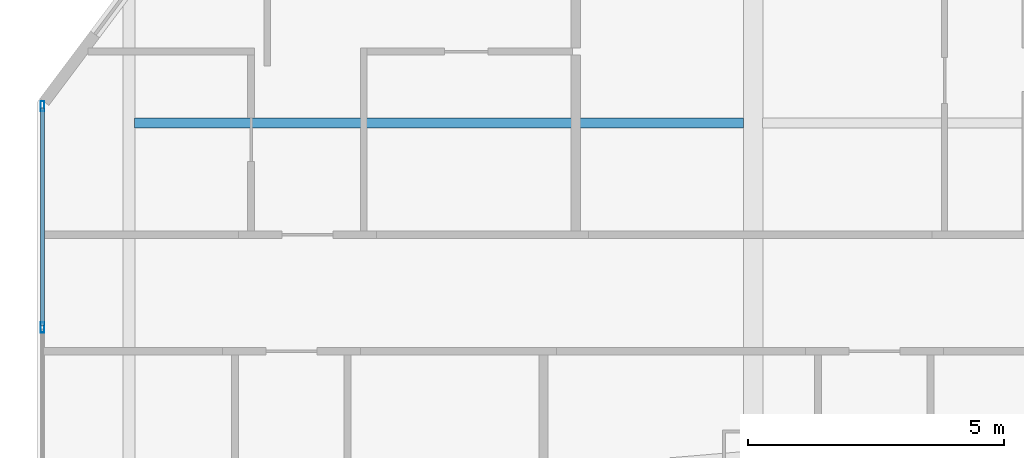
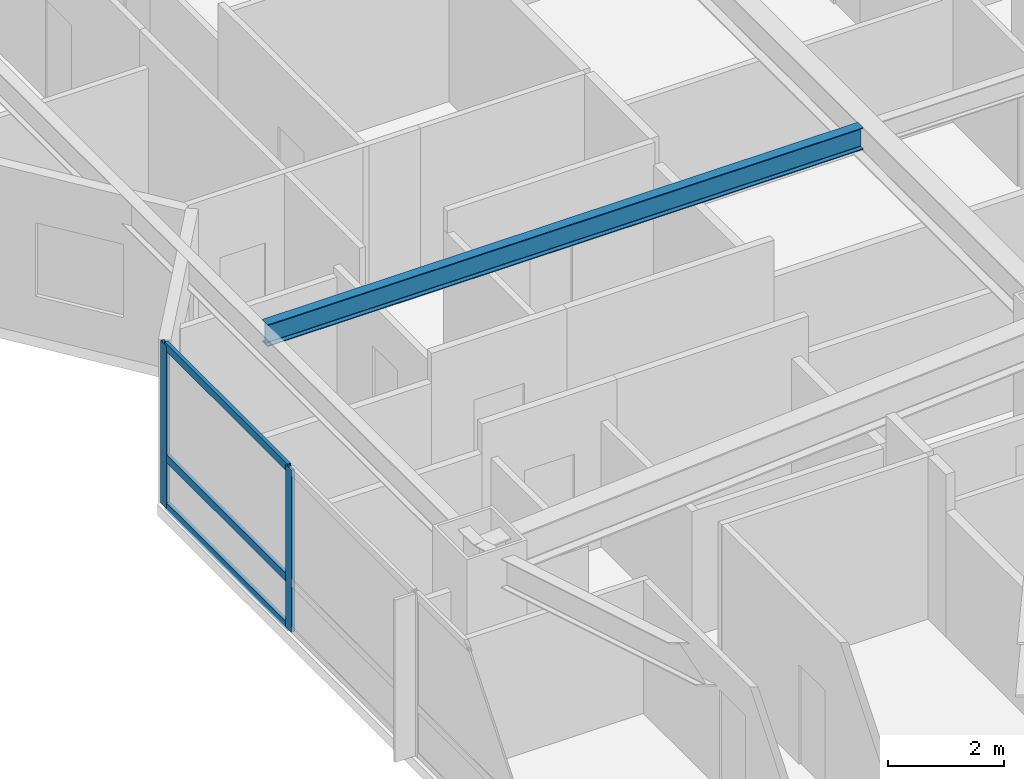
# One storey, part 6 of 25: 5 members, 1 beam, 1 element without a shape of its own.
"""IFC4 building model written with IfcOpenShell, lengths in metres."""

import ifcopenshell
import ifcopenshell.guid

model = None  # the IFC model being written
_history = None  # IfcOwnerHistory: only IFC2X3 demands one
_inside = {}  # id of a spatial element -> (the spatial element, [elements in it])
_under = {}  # id of a project, library or spatial element -> (it, [spatial elements below it])
_declared = {}  # id of a project -> (the project, [libraries it declares])
_typed = {}  # id of a type object -> (the type object, [elements of that type])
_made_of = {}  # id of a material, layer set ... -> (it, [elements and type objects made of it])


def new_model(schema):
    """Start an empty IFC model of exactly this schema.

    Asked for "IFC4X3", IfcOpenShell would pick the latest addendum, in which some entities
    have other attributes; the version numbers below select the first issue.
    IFC2X3 requires an IfcOwnerHistory on every rooted entity: one is made here for all.
    """
    global model, _history
    if schema == "IFC4X3":
        model = ifcopenshell.file(schema_version=(4, 3, 0, 0))
    else:
        model = ifcopenshell.file(schema=schema)
    _inside.clear()
    _under.clear()
    _declared.clear()
    _typed.clear()
    _made_of.clear()
    _history = None
    if model.schema == "IFC2X3":
        org = make("IfcOrganization", Name="unknown")
        user = make(
            "IfcPersonAndOrganization",
            ThePerson=make("IfcPerson", FamilyName="unknown"),
            TheOrganization=org,
        )
        app = make(
            "IfcApplication",
            ApplicationDeveloper=org,
            Version="unknown",
            ApplicationFullName="unknown",
            ApplicationIdentifier="unknown",
        )
        _history = make(
            "IfcOwnerHistory",
            OwningUser=user,
            OwningApplication=app,
            ChangeAction="ADDED",
            CreationDate=0,
        )
    return model


def make(cls, **values):
    """One entity of the class cls with the attributes given. An attribute that is None is left unset."""
    return model.create_entity(
        cls, **{name: value for name, value in values.items() if value is not None}
    )


def rooted(cls, **values):
    """An entity with a GlobalId (a new one), such as an element, a storey or a relation."""
    return make(cls, GlobalId=ifcopenshell.guid.new(), OwnerHistory=_history, **values)


def si_unit(unit_type, name, prefix=None):
    """IfcSIUnit, for example si_unit("LENGTHUNIT", "METRE", prefix="MILLI")."""
    return make("IfcSIUnit", UnitType=unit_type, Prefix=prefix, Name=name)


def assignment(units):
    """IfcUnitAssignment: the units of a project."""
    return None if units is None else make("IfcUnitAssignment", Units=units)


def point(xyz):
    """IfcCartesianPoint."""
    return None if xyz is None else make("IfcCartesianPoint", Coordinates=xyz)


def direction(xyz):
    """IfcDirection."""
    return None if xyz is None else make("IfcDirection", DirectionRatios=xyz)


def frame(location, z_axis=None, x_axis=None):
    """IfcAxis2Placement3D, a coordinate frame: its origin and axes. An axis left out is left unset."""
    return make(
        "IfcAxis2Placement3D",
        Location=point(location),
        Axis=direction(z_axis),
        RefDirection=direction(x_axis),
    )


def frame_2d(location, x_axis=None):
    """IfcAxis2Placement2D, a coordinate frame in the plane: its origin and x axis."""
    return make(
        "IfcAxis2Placement2D", Location=point(location), RefDirection=direction(x_axis)
    )


def origin():
    """The frame at (0, 0, 0) with its axes left unset."""
    return frame((0.0, 0.0, 0.0))


def origin_2d():
    """The frame at (0, 0) in the plane with its x axis left unset."""
    return frame_2d((0.0, 0.0))


def place(relative_to, where):
    """IfcLocalPlacement: puts the frame where relative to a parent placement (None: the world)."""
    return make(
        "IfcLocalPlacement", PlacementRelTo=relative_to, RelativePlacement=where
    )


def context(
    kind, dimensions, precision=None, world=None, true_north=None, identifier=None
):
    """IfcGeometricRepresentationContext, for example the 3D "Model" context."""
    return make(
        "IfcGeometricRepresentationContext",
        ContextIdentifier=identifier,
        ContextType=kind,
        CoordinateSpaceDimension=dimensions,
        Precision=precision,
        WorldCoordinateSystem=world,
        TrueNorth=true_north,
    )


def subcontext(parent, identifier, kind, view, scale=None):
    """IfcGeometricRepresentationSubContext, for example "Body" below "Model"."""
    return make(
        "IfcGeometricRepresentationSubContext",
        ContextIdentifier=identifier,
        ContextType=kind,
        ParentContext=parent,
        TargetScale=scale,
        TargetView=view,
    )


def project(units=None, contexts=None):
    """IfcProject with its units and contexts."""
    return rooted(
        "IfcProject",
        Name="project",
        RepresentationContexts=contexts,
        UnitsInContext=assignment(units),
    )


def spatial(cls, under=None, at=None, **own):
    """A site, building, storey or space (cls), placed at a placement, below another one or the project."""
    s = rooted(cls, ObjectPlacement=at, **own)
    if under is not None:
        _under.setdefault(under.id(), (under, []))[1].append(s)
    return s


def profile(cls, at=None, kind="AREA", **sizes):
    """A parametric profile (cls). Its sizes go by their IFC names, for example OverallWidth=200.0."""
    return make(cls, ProfileType=kind, Position=at, **sizes)


def hollow_rectangle(**sizes):
    """IfcRectangleHollowProfileDef."""
    return profile("IfcRectangleHollowProfileDef", **sizes)


def i_section(**sizes):
    """IfcIShapeProfileDef."""
    return profile("IfcIShapeProfileDef", **sizes)


def extrude(swept, where, along, depth):
    """IfcExtrudedAreaSolid: the profile swept, set in the frame where, extruded along a direction by depth."""
    return make(
        "IfcExtrudedAreaSolid",
        SweptArea=swept,
        Position=where,
        ExtrudedDirection=direction(along),
        Depth=depth,
    )


def shape(context_of_items, identifier, shape_type, items):
    """IfcShapeRepresentation: the items that make up one representation, for example the "Body"."""
    return make(
        "IfcShapeRepresentation",
        ContextOfItems=context_of_items,
        RepresentationIdentifier=identifier,
        RepresentationType=shape_type,
        Items=items,
    )


def material(Name=None, Category=None):
    """IfcMaterial."""
    return make("IfcMaterial", Name=Name, Category=Category)


def material_profile(
    of_material, cross_section, Name=None, Category=None, Priority=None
):
    """IfcMaterialProfile: a cross section and its material."""
    return make(
        "IfcMaterialProfile",
        Name=Name,
        Material=of_material,
        Profile=cross_section,
        Priority=Priority,
        Category=Category,
    )


def profile_set(profiles, Name=None, composite=None):
    """IfcMaterialProfileSet."""
    return make(
        "IfcMaterialProfileSet",
        Name=Name,
        MaterialProfiles=profiles,
        CompositeProfile=composite,
    )


def made_of(thing, what):
    """Note that an element or type object is made of a material, layer set ...; save() writes the relation."""
    if what is not None:
        _made_of.setdefault(what.id(), (what, []))[1].append(thing)
    return thing


def type_object(cls, material=None, **own):
    """A type object (cls), such as IfcWallType, which elements share."""
    return made_of(rooted(cls, **own), material)


def element(
    cls,
    number,
    at=None,
    inside=None,
    cuts=None,
    type_object=None,
    material=None,
    context=None,
    identifier="Body",
    shape_type=None,
    held_by="IfcProductDefinitionShape",
    body=None,
    shapes=None,
    **own,
):
    """One element of the class cls, such as IfcWall. Its Tag is "e" and its number.

    at: its placement. inside: the storey or other place that contains it. cuts: it is an
    opening in that element (IfcRelVoidsElement). A single representation is given by context,
    identifier, shape_type and body (its items); several are given by shapes. held_by: the class
    of the entity that holds the representations. save() writes the other relations.
    """
    e = rooted(cls, Tag="e%d" % number, ObjectPlacement=at, **own)
    if body is not None:
        shapes = [shape(context, identifier, shape_type, body)]
    if shapes is not None:
        e.Representation = make(held_by, Representations=shapes)
    if inside is not None:
        _inside.setdefault(inside.id(), (inside, []))[1].append(e)
    if cuts is not None:
        rooted(
            "IfcRelVoidsElement", RelatingBuildingElement=cuts, RelatedOpeningElement=e
        )
    if type_object is not None:
        _typed.setdefault(type_object.id(), (type_object, []))[1].append(e)
    return made_of(e, material)


def aggregate(whole, parts):
    """IfcRelAggregates: a whole, such as a stair, and the parts it consists of."""
    return rooted("IfcRelAggregates", RelatingObject=whole, RelatedObjects=parts)


def save(model, path):
    """Write the relations noted so far, then the file.

    IfcRelAggregates (storeys below a building ...), IfcRelContainedInSpatialStructure (elements
    in a storey), IfcRelDefinesByType, IfcRelAssociatesMaterial and IfcRelDeclares: one each for
    every whole, place, type object, material and project.
    """
    for whole, parts in _under.values():
        aggregate(whole, parts)
    for where, things in _inside.values():
        rooted(
            "IfcRelContainedInSpatialStructure",
            RelatedElements=things,
            RelatingStructure=where,
        )
    for kind, things in _typed.values():
        rooted("IfcRelDefinesByType", RelatedObjects=things, RelatingType=kind)
    for what, things in _made_of.values():
        rooted("IfcRelAssociatesMaterial", RelatedObjects=things, RelatingMaterial=what)
    for by, libraries in _declared.values():
        rooted("IfcRelDeclares", RelatingContext=by, RelatedDefinitions=libraries)
    model.write(path)


model = new_model("IFC4")

# Units and contexts
model_context = context("Model", 3, precision=1e-05, world=origin(), true_north=direction((0.0, 1.0)))
body_context = subcontext(model_context, "Body", "Model", "MODEL_VIEW")
ifc_project = project(units=[si_unit("LENGTHUNIT", "METRE"), si_unit("AREAUNIT", "SQUARE_METRE"), si_unit("VOLUMEUNIT", "CUBIC_METRE"), si_unit("PLANEANGLEUNIT", "RADIAN"), si_unit("MASSUNIT", "GRAM", prefix="KILO")], contexts=[model_context])

# Site, building, storey
site_placement = place(None, origin())
site = spatial("IfcSite", under=ifc_project, at=site_placement, CompositionType="ELEMENT")
building_placement = place(site_placement, origin())
building = spatial("IfcBuilding", under=site, at=building_placement, Name="Khamvora Tower", CompositionType="ELEMENT")
storey_placement = place(building_placement, frame((0.0, 0.0, 36.949951171875)))
storey = spatial("IfcBuildingStorey", under=building, at=storey_placement, Name="L08", CompositionType="ELEMENT", Elevation=36.949951171875)

# Beam
ifc_material_1 = material(Name="Steel S355", Category="steel")
ifc_material_profile_1 = material_profile(ifc_material_1, i_section(OverallWidth=0.19189453125, OverallDepth=0.462890625, WebThickness=0.010986328125, FlangeThickness=0.01806640625, FilletRadius=0.011962890625, at=origin_2d()), Name="W460x89")
ifc_profile_set_1 = profile_set([ifc_material_profile_1], Name="Steel S355")
beam_type = type_object("IfcBeamType", Name="BM-JS-W460x89", PredefinedType="JOIST", material=ifc_profile_set_1)
beam_placement = place(storey_placement, frame((5.909912109375, 24.39990234375, 3.198974609375), z_axis=(1.0, 0.0, 0.0), x_axis=(0.0, 1.0, 0.0)))
element("IfcBeam", 1, at=beam_placement, inside=storey, type_object=beam_type, Name="L08 secondary floor joist 04", PredefinedType="JOIST", context=body_context, shape_type="SweptSolid", body=[
    extrude(i_section(OverallWidth=0.19189453125, OverallDepth=0.462890625, WebThickness=0.010986328125, FlangeThickness=0.01806640625, FilletRadius=0.011962890625, at=origin_2d()), origin(), (0.0, 0.0, 1.0), 11.904052734375),
])

# Curtain wall, members
ifc_material_2 = material(Name="Anodised Aluminium 6063-T6", Category="aluminium")
curtain_wall_type = type_object("IfcCurtainWallType", Name="CW-SYS-02", PredefinedType="NOTDEFINED", material=ifc_material_2)
curtain_wall_placement = place(storey_placement, origin())
curtain_wall = element("IfcCurtainWall", 2, at=curtain_wall_placement, inside=storey, type_object=curtain_wall_type, Name="L08 stick curtain wall 02.1", PredefinedType="NOTDEFINED")
ifc_material_profile_2 = material_profile(ifc_material_2, hollow_rectangle(XDim=0.070068359375, YDim=0.199951171875, WallThickness=0.0048828125, at=origin_2d()), Name="MUL70x200x5")
ifc_profile_set_2 = profile_set([ifc_material_profile_2], Name="Anodised Aluminium 6063-T6")
member_type_1 = type_object("IfcMemberType", Name="CW-SYS-02-MUL", PredefinedType="MULLION", material=ifc_profile_set_2)
member_1_placement = place(storey_placement, frame((4.110107421875, 20.401611328125, 0.0), z_axis=(0.0, 0.0, 1.0), x_axis=(-1.0, 0.0, 0.0)))
member_1 = element("IfcMember", 3, at=member_1_placement, type_object=member_type_1, Name="CW-02 mullion 4", PredefinedType="MULLION", context=body_context, shape_type="SweptSolid", body=[
    extrude(hollow_rectangle(XDim=0.070068359375, YDim=0.199951171875, WallThickness=0.0048828125, at=origin_2d()), origin(), (0.0, 0.0, 1.0), 3.429931640625),
])
member_2_placement = place(storey_placement, frame((4.110107421875, 24.72802734375, 0.0), z_axis=(0.0, 0.0, 1.0), x_axis=(-1.0, 0.0, 0.0)))
member_2 = element("IfcMember", 4, at=member_2_placement, type_object=member_type_1, Name="CW-02 mullion 5", PredefinedType="MULLION", context=body_context, shape_type="SweptSolid", body=[
    extrude(hollow_rectangle(XDim=0.070068359375, YDim=0.199951171875, WallThickness=0.0048828125, at=origin_2d()), origin(), (0.0, 0.0, 1.0), 3.429931640625),
])
ifc_material_profile_3 = material_profile(ifc_material_2, hollow_rectangle(XDim=0.070068359375, YDim=0.1650390625, WallThickness=0.0048828125, at=origin_2d()), Name="TRN70x165x5")
ifc_profile_set_3 = profile_set([ifc_material_profile_3], Name="Anodised Aluminium 6063-T6")
member_type_2 = type_object("IfcMemberType", Name="CW-SYS-02-TRN", PredefinedType="USERDEFINED", material=ifc_profile_set_3)
member_3_placement = place(storey_placement, frame((4.110107421875, 20.4365234375, 0.03515625), z_axis=(0.0, 1.0, 0.0), x_axis=(-1.0, 0.0, 0.0)))
member_3 = element("IfcMember", 5, at=member_3_placement, type_object=member_type_2, Name="CW-02 transom 4.1", ObjectType="TRANSOM", PredefinedType="USERDEFINED", context=body_context, shape_type="SweptSolid", body=[
    extrude(hollow_rectangle(XDim=0.070068359375, YDim=0.1650390625, WallThickness=0.0048828125, at=origin_2d()), origin(), (0.0, 0.0, 1.0), 4.256591796875),
])
member_4_placement = place(storey_placement, frame((4.110107421875, 20.4365234375, 1.050048828125), z_axis=(0.0, 1.0, 0.0), x_axis=(-1.0, 0.0, 0.0)))
member_4 = element("IfcMember", 6, at=member_4_placement, type_object=member_type_2, Name="CW-02 transom 4.2", ObjectType="TRANSOM", PredefinedType="USERDEFINED", context=body_context, shape_type="SweptSolid", body=[
    extrude(hollow_rectangle(XDim=0.070068359375, YDim=0.1650390625, WallThickness=0.0048828125, at=origin_2d()), origin(), (0.0, 0.0, 1.0), 4.256591796875),
])
member_5_placement = place(storey_placement, frame((4.110107421875, 20.4365234375, 3.39501953125), z_axis=(0.0, 1.0, 0.0), x_axis=(-1.0, 0.0, 0.0)))
member_5 = element("IfcMember", 7, at=member_5_placement, type_object=member_type_2, Name="CW-02 transom 4.3", ObjectType="TRANSOM", PredefinedType="USERDEFINED", context=body_context, shape_type="SweptSolid", body=[
    extrude(hollow_rectangle(XDim=0.070068359375, YDim=0.1650390625, WallThickness=0.0048828125, at=origin_2d()), origin(), (0.0, 0.0, 1.0), 4.256591796875),
])
aggregate(curtain_wall, [member_1, member_2, member_3, member_4, member_5])

save(model, "model.ifc")
